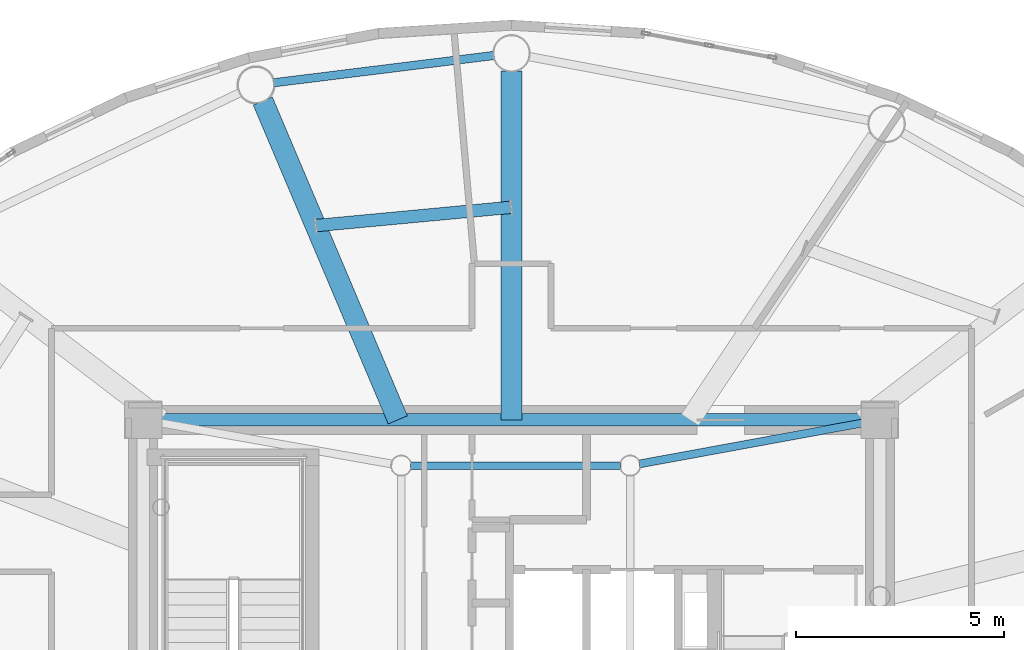
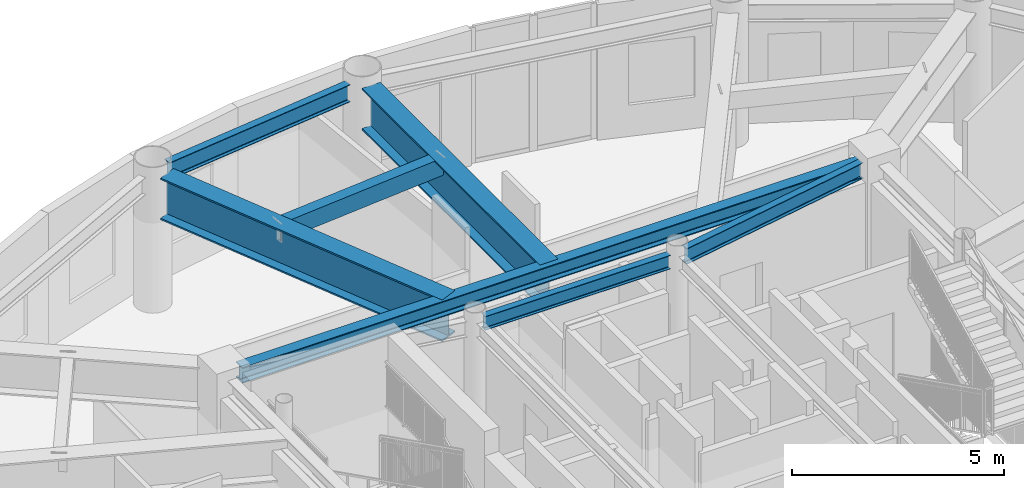
# One storey, part 9 of 26: 7 beams.
"""IFC4 building model written with IfcOpenShell, lengths in metres."""

import ifcopenshell
import ifcopenshell.guid

model = None  # the IFC model being written
_history = None  # IfcOwnerHistory: only IFC2X3 demands one
_inside = {}  # id of a spatial element -> (the spatial element, [elements in it])
_under = {}  # id of a project, library or spatial element -> (it, [spatial elements below it])
_declared = {}  # id of a project -> (the project, [libraries it declares])
_typed = {}  # id of a type object -> (the type object, [elements of that type])
_made_of = {}  # id of a material, layer set ... -> (it, [elements and type objects made of it])


def new_model(schema):
    """Start an empty IFC model of exactly this schema.

    Asked for "IFC4X3", IfcOpenShell would pick the latest addendum, in which some entities
    have other attributes; the version numbers below select the first issue.
    IFC2X3 requires an IfcOwnerHistory on every rooted entity: one is made here for all.
    """
    global model, _history
    if schema == "IFC4X3":
        model = ifcopenshell.file(schema_version=(4, 3, 0, 0))
    else:
        model = ifcopenshell.file(schema=schema)
    _inside.clear()
    _under.clear()
    _declared.clear()
    _typed.clear()
    _made_of.clear()
    _history = None
    if model.schema == "IFC2X3":
        org = make("IfcOrganization", Name="unknown")
        user = make(
            "IfcPersonAndOrganization",
            ThePerson=make("IfcPerson", FamilyName="unknown"),
            TheOrganization=org,
        )
        app = make(
            "IfcApplication",
            ApplicationDeveloper=org,
            Version="unknown",
            ApplicationFullName="unknown",
            ApplicationIdentifier="unknown",
        )
        _history = make(
            "IfcOwnerHistory",
            OwningUser=user,
            OwningApplication=app,
            ChangeAction="ADDED",
            CreationDate=0,
        )
    return model


def make(cls, **values):
    """One entity of the class cls with the attributes given. An attribute that is None is left unset."""
    return model.create_entity(
        cls, **{name: value for name, value in values.items() if value is not None}
    )


def rooted(cls, **values):
    """An entity with a GlobalId (a new one), such as an element, a storey or a relation."""
    return make(cls, GlobalId=ifcopenshell.guid.new(), OwnerHistory=_history, **values)


def si_unit(unit_type, name, prefix=None):
    """IfcSIUnit, for example si_unit("LENGTHUNIT", "METRE", prefix="MILLI")."""
    return make("IfcSIUnit", UnitType=unit_type, Prefix=prefix, Name=name)


def assignment(units):
    """IfcUnitAssignment: the units of a project."""
    return None if units is None else make("IfcUnitAssignment", Units=units)


def point(xyz):
    """IfcCartesianPoint."""
    return None if xyz is None else make("IfcCartesianPoint", Coordinates=xyz)


def direction(xyz):
    """IfcDirection."""
    return None if xyz is None else make("IfcDirection", DirectionRatios=xyz)


def frame(location, z_axis=None, x_axis=None):
    """IfcAxis2Placement3D, a coordinate frame: its origin and axes. An axis left out is left unset."""
    return make(
        "IfcAxis2Placement3D",
        Location=point(location),
        Axis=direction(z_axis),
        RefDirection=direction(x_axis),
    )


def frame_2d(location, x_axis=None):
    """IfcAxis2Placement2D, a coordinate frame in the plane: its origin and x axis."""
    return make(
        "IfcAxis2Placement2D", Location=point(location), RefDirection=direction(x_axis)
    )


def origin():
    """The frame at (0, 0, 0) with its axes left unset."""
    return frame((0.0, 0.0, 0.0))


def origin_2d():
    """The frame at (0, 0) in the plane with its x axis left unset."""
    return frame_2d((0.0, 0.0))


def place(relative_to, where):
    """IfcLocalPlacement: puts the frame where relative to a parent placement (None: the world)."""
    return make(
        "IfcLocalPlacement", PlacementRelTo=relative_to, RelativePlacement=where
    )


def context(
    kind, dimensions, precision=None, world=None, true_north=None, identifier=None
):
    """IfcGeometricRepresentationContext, for example the 3D "Model" context."""
    return make(
        "IfcGeometricRepresentationContext",
        ContextIdentifier=identifier,
        ContextType=kind,
        CoordinateSpaceDimension=dimensions,
        Precision=precision,
        WorldCoordinateSystem=world,
        TrueNorth=true_north,
    )


def subcontext(parent, identifier, kind, view, scale=None):
    """IfcGeometricRepresentationSubContext, for example "Body" below "Model"."""
    return make(
        "IfcGeometricRepresentationSubContext",
        ContextIdentifier=identifier,
        ContextType=kind,
        ParentContext=parent,
        TargetScale=scale,
        TargetView=view,
    )


def project(units=None, contexts=None):
    """IfcProject with its units and contexts."""
    return rooted(
        "IfcProject",
        Name="project",
        RepresentationContexts=contexts,
        UnitsInContext=assignment(units),
    )


def spatial(cls, under=None, at=None, **own):
    """A site, building, storey or space (cls), placed at a placement, below another one or the project."""
    s = rooted(cls, ObjectPlacement=at, **own)
    if under is not None:
        _under.setdefault(under.id(), (under, []))[1].append(s)
    return s


def profile(cls, at=None, kind="AREA", **sizes):
    """A parametric profile (cls). Its sizes go by their IFC names, for example OverallWidth=200.0."""
    return make(cls, ProfileType=kind, Position=at, **sizes)


def hollow_rectangle(**sizes):
    """IfcRectangleHollowProfileDef."""
    return profile("IfcRectangleHollowProfileDef", **sizes)


def i_section(**sizes):
    """IfcIShapeProfileDef."""
    return profile("IfcIShapeProfileDef", **sizes)


def extrude(swept, where, along, depth):
    """IfcExtrudedAreaSolid: the profile swept, set in the frame where, extruded along a direction by depth."""
    return make(
        "IfcExtrudedAreaSolid",
        SweptArea=swept,
        Position=where,
        ExtrudedDirection=direction(along),
        Depth=depth,
    )


def shape(context_of_items, identifier, shape_type, items):
    """IfcShapeRepresentation: the items that make up one representation, for example the "Body"."""
    return make(
        "IfcShapeRepresentation",
        ContextOfItems=context_of_items,
        RepresentationIdentifier=identifier,
        RepresentationType=shape_type,
        Items=items,
    )


def material(Name=None, Category=None):
    """IfcMaterial."""
    return make("IfcMaterial", Name=Name, Category=Category)


def material_profile(
    of_material, cross_section, Name=None, Category=None, Priority=None
):
    """IfcMaterialProfile: a cross section and its material."""
    return make(
        "IfcMaterialProfile",
        Name=Name,
        Material=of_material,
        Profile=cross_section,
        Priority=Priority,
        Category=Category,
    )


def profile_set(profiles, Name=None, composite=None):
    """IfcMaterialProfileSet."""
    return make(
        "IfcMaterialProfileSet",
        Name=Name,
        MaterialProfiles=profiles,
        CompositeProfile=composite,
    )


def made_of(thing, what):
    """Note that an element or type object is made of a material, layer set ...; save() writes the relation."""
    if what is not None:
        _made_of.setdefault(what.id(), (what, []))[1].append(thing)
    return thing


def type_object(cls, material=None, **own):
    """A type object (cls), such as IfcWallType, which elements share."""
    return made_of(rooted(cls, **own), material)


def element(
    cls,
    number,
    at=None,
    inside=None,
    cuts=None,
    type_object=None,
    material=None,
    context=None,
    identifier="Body",
    shape_type=None,
    held_by="IfcProductDefinitionShape",
    body=None,
    shapes=None,
    **own,
):
    """One element of the class cls, such as IfcWall. Its Tag is "e" and its number.

    at: its placement. inside: the storey or other place that contains it. cuts: it is an
    opening in that element (IfcRelVoidsElement). A single representation is given by context,
    identifier, shape_type and body (its items); several are given by shapes. held_by: the class
    of the entity that holds the representations. save() writes the other relations.
    """
    e = rooted(cls, Tag="e%d" % number, ObjectPlacement=at, **own)
    if body is not None:
        shapes = [shape(context, identifier, shape_type, body)]
    if shapes is not None:
        e.Representation = make(held_by, Representations=shapes)
    if inside is not None:
        _inside.setdefault(inside.id(), (inside, []))[1].append(e)
    if cuts is not None:
        rooted(
            "IfcRelVoidsElement", RelatingBuildingElement=cuts, RelatedOpeningElement=e
        )
    if type_object is not None:
        _typed.setdefault(type_object.id(), (type_object, []))[1].append(e)
    return made_of(e, material)


def aggregate(whole, parts):
    """IfcRelAggregates: a whole, such as a stair, and the parts it consists of."""
    return rooted("IfcRelAggregates", RelatingObject=whole, RelatedObjects=parts)


def save(model, path):
    """Write the relations noted so far, then the file.

    IfcRelAggregates (storeys below a building ...), IfcRelContainedInSpatialStructure (elements
    in a storey), IfcRelDefinesByType, IfcRelAssociatesMaterial and IfcRelDeclares: one each for
    every whole, place, type object, material and project.
    """
    for whole, parts in _under.values():
        aggregate(whole, parts)
    for where, things in _inside.values():
        rooted(
            "IfcRelContainedInSpatialStructure",
            RelatedElements=things,
            RelatingStructure=where,
        )
    for kind, things in _typed.values():
        rooted("IfcRelDefinesByType", RelatedObjects=things, RelatingType=kind)
    for what, things in _made_of.values():
        rooted("IfcRelAssociatesMaterial", RelatedObjects=things, RelatingMaterial=what)
    for by, libraries in _declared.values():
        rooted("IfcRelDeclares", RelatingContext=by, RelatedDefinitions=libraries)
    model.write(path)


model = new_model("IFC4")

# Units and contexts
model_context = context("Model", 3, precision=1e-05, world=origin(), true_north=direction((0.0, 1.0)))
body_context = subcontext(model_context, "Body", "Model", "MODEL_VIEW")
ifc_project = project(units=[si_unit("LENGTHUNIT", "METRE"), si_unit("AREAUNIT", "SQUARE_METRE"), si_unit("VOLUMEUNIT", "CUBIC_METRE"), si_unit("PLANEANGLEUNIT", "RADIAN"), si_unit("MASSUNIT", "GRAM", prefix="KILO")], contexts=[model_context])

# Site, building, storey
site_placement = place(None, origin())
site = spatial("IfcSite", under=ifc_project, at=site_placement, CompositionType="ELEMENT")
building_placement = place(site_placement, origin())
building = spatial("IfcBuilding", under=site, at=building_placement, Name="Linh Dai School and Residence Tower", CompositionType="ELEMENT")
storey_placement = place(building_placement, frame((0.0, 0.0, 346.800048828125)))
storey = spatial("IfcBuildingStorey", under=building, at=storey_placement, Name="L86", CompositionType="ELEMENT", Elevation=346.800048828125)

# Beams
ifc_material = material(Name="Structural Steel S355JR", Category="steel")
ifc_material_profile_1 = material_profile(ifc_material, hollow_rectangle(XDim=0.300048828125, YDim=0.5, WallThickness=0.01611328125, at=origin_2d()), Name="RHS 500x300x16")
ifc_profile_set_1 = profile_set([ifc_material_profile_1], Name="Structural Steel S355JR")
beam_type_1 = type_object("IfcBeamType", Name="BM-BX5", PredefinedType="BEAM", material=ifc_profile_set_1)
beam_1_placement = place(storey_placement, frame((35.9951171875, 38.556396484375, 3.64990234375), z_axis=(-0.995632572685, -0.093358343008, 0.0), x_axis=(0.093358343008, -0.995632572685, 0.0)))
element("IfcBeam", 1, at=beam_1_placement, inside=storey, type_object=beam_type_1, Name="L86 Secondary Circumferential Floor Beam 03", PredefinedType="BEAM", context=body_context, shape_type="SweptSolid", body=[
    extrude(hollow_rectangle(XDim=0.300048828125, YDim=0.5, WallThickness=0.01611328125, at=origin_2d()), origin(), (0.0, 0.0, 1.0), 4.717529296875),
])
ifc_material_profile_2 = material_profile(ifc_material, i_section(OverallWidth=0.199951171875, OverallDepth=0.5, WebThickness=0.01025390625, FlangeThickness=0.01611328125, FilletRadius=0.02099609375, at=origin_2d()), Name="IPE 500")
ifc_profile_set_2 = profile_set([ifc_material_profile_2], Name="Structural Steel S355JR")
beam_type_2 = type_object("IfcBeamType", Name="BM-RB50", PredefinedType="BEAM", material=ifc_profile_set_2)
beam_2_placement = place(storey_placement, frame((35.583251953125, 42.203369140625, 3.64990234375), z_axis=(-0.992398979221, -0.123062041428, 0.0), x_axis=(0.123062041428, -0.992398979221, 0.0)))
element("IfcBeam", 2, at=beam_2_placement, inside=storey, type_object=beam_type_2, Name="L86 Perimeter Elliptical Ring Beam 05", PredefinedType="BEAM", context=body_context, shape_type="SweptSolid", body=[
    extrude(i_section(OverallWidth=0.199951171875, OverallDepth=0.5, WebThickness=0.01025390625, FlangeThickness=0.01611328125, FilletRadius=0.02099609375, at=origin_2d()), origin(), (0.0, 0.0, 1.0), 5.344482421875),
])
ifc_material_profile_3 = material_profile(ifc_material, i_section(OverallWidth=0.300048828125, OverallDepth=0.449951171875, WebThickness=0.013916015625, FlangeThickness=0.02587890625, FilletRadius=0.027099609375, at=origin_2d()), Name="HEB 450")
ifc_profile_set_3 = profile_set([ifc_material_profile_3], Name="Structural Steel S355JR")
beam_type_3 = type_object("IfcBeamType", Name="BM-RG45", PredefinedType="BEAM", material=ifc_profile_set_3)
beam_3_placement = place(storey_placement, frame((44.429931640625, 33.449951171875, 3.675048828125), z_axis=(-1.0, 0.0, 0.0), x_axis=(0.0, -1.0, 0.0)))
element("IfcBeam", 3, at=beam_3_placement, inside=storey, type_object=beam_type_3, Name="L86 Core Perimeter Coupling Girder 3", PredefinedType="BEAM", context=body_context, shape_type="SweptSolid", body=[
    extrude(i_section(OverallWidth=0.300048828125, OverallDepth=0.449951171875, WebThickness=0.013916015625, FlangeThickness=0.02587890625, FilletRadius=0.027099609375, at=origin_2d()), origin(), (0.0, 0.0, 1.0), 16.85986328125),
])
ifc_material_profile_4 = material_profile(ifc_material, i_section(OverallWidth=0.179931640625, OverallDepth=0.39990234375, WebThickness=0.008544921875, FlangeThickness=0.013427734375, FilletRadius=0.02099609375, at=origin_2d()), Name="IPE 400")
ifc_profile_set_4 = profile_set([ifc_material_profile_4], Name="Structural Steel S355JR")
beam_type_4 = type_object("IfcBeamType", Name="BM-SB40", PredefinedType="BEAM", material=ifc_profile_set_4)
beam_4_placement = place(storey_placement, frame((38.6259765625, 32.35009765625, 3.699951171875), z_axis=(-1.0, 0.0, 0.0), x_axis=(0.0, -1.0, 0.0)))
element("IfcBeam", 4, at=beam_4_placement, inside=storey, type_object=beam_type_4, Name="L86 Core Mast Pier Tie Beam 3", PredefinedType="BEAM", context=body_context, shape_type="SweptSolid", body=[
    extrude(i_section(OverallWidth=0.179931640625, OverallDepth=0.39990234375, WebThickness=0.008544921875, FlangeThickness=0.013427734375, FilletRadius=0.02099609375, at=origin_2d()), origin(), (0.0, 0.0, 1.0), 5.052001953125),
])
ifc_material_profile_5 = material_profile(ifc_material, i_section(OverallWidth=0.18994140625, OverallDepth=0.449951171875, WebThickness=0.009521484375, FlangeThickness=0.0146484375, FilletRadius=0.02099609375, at=origin_2d()), Name="IPE 450")
ifc_profile_set_5 = profile_set([ifc_material_profile_5], Name="Structural Steel S355JR")
beam_type_5 = type_object("IfcBeamType", Name="BM-SB45", PredefinedType="BEAM", material=ifc_profile_set_5)
beam_5_placement = place(storey_placement, frame((44.436767578125, 33.374267578125, 3.675048828125), z_axis=(-0.983605366802, -0.180334362777, 0.0), x_axis=(0.180334362777, -0.983605366802, 0.0)))
element("IfcBeam", 5, at=beam_5_placement, inside=storey, type_object=beam_type_5, Name="L86 Core Corner-to-Mast Pier Beam 3", PredefinedType="BEAM", context=body_context, shape_type="SweptSolid", body=[
    extrude(i_section(OverallWidth=0.18994140625, OverallDepth=0.449951171875, WebThickness=0.009521484375, FlangeThickness=0.0146484375, FilletRadius=0.02099609375, at=origin_2d()), origin(), (0.0, 0.0, 1.0), 5.455810546875),
])
ifc_material_profile_6 = material_profile(ifc_material, i_section(OverallWidth=0.5, OverallDepth=1.199951171875, WebThickness=0.02392578125, FlangeThickness=0.044921875, at=origin_2d()), Name="PG 1200x500x24x45")
ifc_profile_set_6 = profile_set([ifc_material_profile_6], Name="Structural Steel S355JR")
beam_type_6 = type_object("IfcBeamType", Name="BM-TG12", PredefinedType="BEAM", material=ifc_profile_set_6)
beam_6_placement = place(storey_placement, frame((36.0, 33.449951171875, 3.300048828125), z_axis=(0.0, 1.0, 0.0), x_axis=(-1.0, 0.0, 0.0)))
element("IfcBeam", 6, at=beam_6_placement, inside=storey, type_object=beam_type_6, Name="L86 Primary Radial Floor Girder 05", PredefinedType="BEAM", context=body_context, shape_type="SweptSolid", body=[
    extrude(i_section(OverallWidth=0.5, OverallDepth=1.199951171875, WebThickness=0.02392578125, FlangeThickness=0.044921875, at=origin_2d()), origin(), (0.0, 0.0, 1.0), 8.385009765625),
])
beam_7_placement = place(storey_placement, frame((33.268798828125, 33.449951171875, 3.300048828125), z_axis=(-0.389954119501, 0.920834287309, 0.0), x_axis=(-0.920834287309, -0.389954119501, 0.0)))
element("IfcBeam", 7, at=beam_7_placement, inside=storey, type_object=beam_type_6, Name="L86 Primary Radial Floor Girder 06", PredefinedType="BEAM", context=body_context, shape_type="SweptSolid", body=[
    extrude(i_section(OverallWidth=0.5, OverallDepth=1.199951171875, WebThickness=0.02392578125, FlangeThickness=0.044921875, at=origin_2d()), origin(), (0.0, 0.0, 1.0), 8.3154296875),
])

save(model, "model.ifc")
